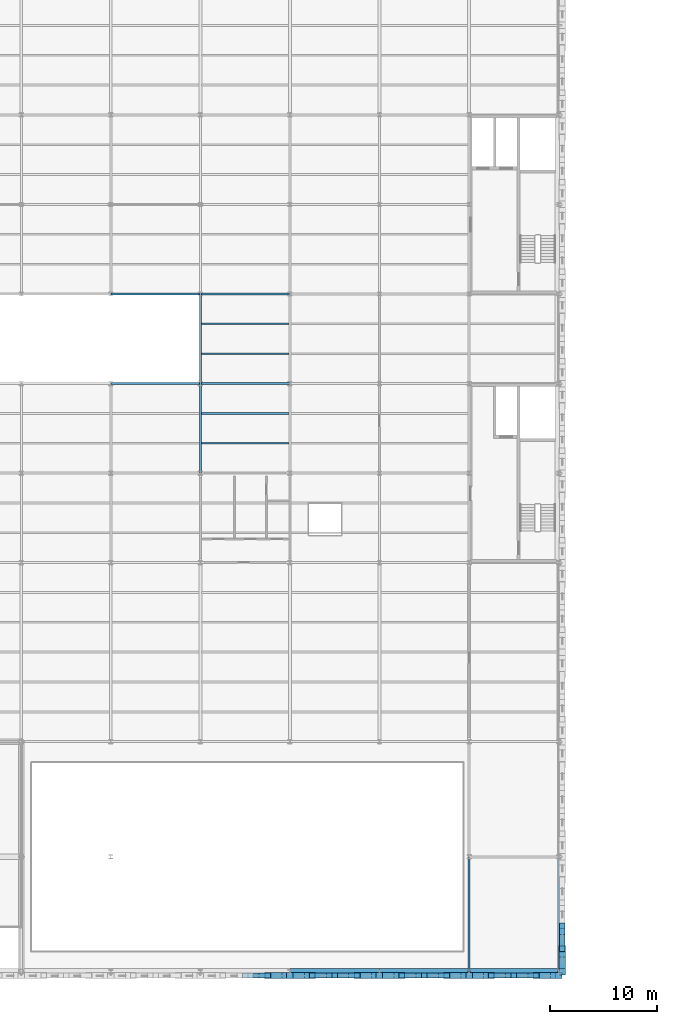
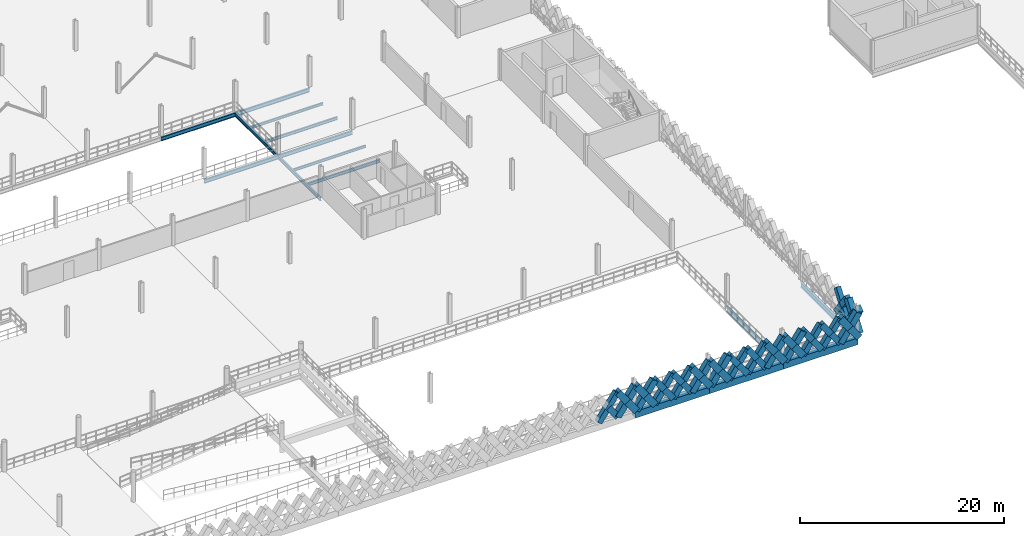
# One storey, part 22 of 74: 47 members, 15 beams.
"""IFC4 building model written with IfcOpenShell, lengths in metres."""

from ifc_helpers import new_model, si_unit, direction, frame, origin, origin_2d, place, context, subcontext, project, spatial, rectangle, i_section, extrude, material, material_profile, profile_set, type_object, element, save


model = new_model("IFC4")

# Units and contexts
model_context = context("Model", 3, precision=1e-05, world=origin(), true_north=direction((0.0, 1.0)))
body_context = subcontext(model_context, "Body", "Model", "MODEL_VIEW")
ifc_project = project(units=[si_unit("LENGTHUNIT", "METRE"), si_unit("AREAUNIT", "SQUARE_METRE"), si_unit("VOLUMEUNIT", "CUBIC_METRE"), si_unit("PLANEANGLEUNIT", "RADIAN"), si_unit("MASSUNIT", "GRAM", prefix="KILO"), si_unit("THERMODYNAMICTEMPERATUREUNIT", "KELVIN"), si_unit("POWERUNIT", "WATT")], contexts=[model_context])

# Site, building, storey
site_placement = place(None, origin())
site = spatial("IfcSite", under=ifc_project, at=site_placement, CompositionType="ELEMENT")
building_placement = place(site_placement, origin())
building = spatial("IfcBuilding", under=site, at=building_placement, Name="Tembeka Court Mobility Hub", CompositionType="ELEMENT")
storey_placement = place(building_placement, frame((0.0, 0.0, 12.60009765625)))
storey = spatial("IfcBuildingStorey", under=building, at=storey_placement, Name="L03", CompositionType="ELEMENT", Elevation=12.60009765625)

# Beams
ifc_material_1 = material(Name="Steel S355", Category="steel")
ifc_material_profile_1 = material_profile(ifc_material_1, i_section(OverallWidth=0.18994140625, OverallDepth=0.45703125, WebThickness=0.009033203125, FlangeThickness=0.014404296875, FilletRadius=0.01025390625, at=origin_2d()), Name="UKB 457x191x74")
ifc_profile_set_1 = profile_set([ifc_material_profile_1], Name="Steel S355")
beam_type_1 = type_object("IfcBeamType", Name="BM-B01", PredefinedType="BEAM", material=ifc_profile_set_1)
beam_1_placement = place(storey_placement, frame((50.39990234375, 55.199951171875, -0.448486328125), z_axis=(1.0, 0.0, 0.0), x_axis=(0.0, 1.0, 0.0)))
element("IfcBeam", 1, at=beam_1_placement, inside=storey, type_object=beam_type_1, Name="Beam B01 (BM-L03-X1754)", PredefinedType="BEAM", context=body_context, shape_type="SweptSolid", body=[
    extrude(i_section(OverallWidth=0.18994140625, OverallDepth=0.45703125, WebThickness=0.009033203125, FlangeThickness=0.014404296875, FilletRadius=0.01025390625, at=origin_2d()), origin(), (0.0, 0.0, 1.0), 8.400146484375),
])
beam_2_placement = place(storey_placement, frame((58.800048828125, 55.199951171875, -0.448486328125), z_axis=(1.0, 0.0, 0.0), x_axis=(0.0, 1.0, 0.0)))
element("IfcBeam", 2, at=beam_2_placement, inside=storey, type_object=beam_type_1, Name="Beam B01 (BM-L03-X1755)", PredefinedType="BEAM", context=body_context, shape_type="SweptSolid", body=[
    extrude(i_section(OverallWidth=0.18994140625, OverallDepth=0.45703125, WebThickness=0.009033203125, FlangeThickness=0.014404296875, FilletRadius=0.01025390625, at=origin_2d()), origin(), (0.0, 0.0, 1.0), 8.39990234375),
])
beam_3_placement = place(storey_placement, frame((50.39990234375, 63.60009765625, -0.448486328125), z_axis=(1.0, 0.0, 0.0), x_axis=(0.0, 1.0, 0.0)))
element("IfcBeam", 3, at=beam_3_placement, inside=storey, type_object=beam_type_1, Name="Beam B01 (BM-L03-X1766)", PredefinedType="BEAM", context=body_context, shape_type="SweptSolid", body=[
    extrude(i_section(OverallWidth=0.18994140625, OverallDepth=0.45703125, WebThickness=0.009033203125, FlangeThickness=0.014404296875, FilletRadius=0.01025390625, at=origin_2d()), origin(), (0.0, 0.0, 1.0), 8.400146484375),
])
beam_4_placement = place(storey_placement, frame((58.800048828125, 63.60009765625, -0.448486328125), z_axis=(1.0, 0.0, 0.0), x_axis=(0.0, 1.0, 0.0)))
element("IfcBeam", 4, at=beam_4_placement, inside=storey, type_object=beam_type_1, Name="Beam B01 (BM-L03-X1767)", PredefinedType="BEAM", context=body_context, shape_type="SweptSolid", body=[
    extrude(i_section(OverallWidth=0.18994140625, OverallDepth=0.45703125, WebThickness=0.009033203125, FlangeThickness=0.014404296875, FilletRadius=0.01025390625, at=origin_2d()), origin(), (0.0, 0.0, 1.0), 8.39990234375),
])
ifc_material_profile_2 = material_profile(ifc_material_1, i_section(OverallWidth=0.177978515625, OverallDepth=0.406005859375, WebThickness=0.0078125, FlangeThickness=0.0126953125, FilletRadius=0.01025390625, at=origin_2d()), Name="UKB 406x178x60")
ifc_profile_set_2 = profile_set([ifc_material_profile_2], Name="Steel S355")
beam_type_2 = type_object("IfcBeamType", Name="BM-B02", PredefinedType="BEAM", material=ifc_profile_set_2)
beam_5_placement = place(storey_placement, frame((58.800048828125, 46.800048828125, -0.423095703125), z_axis=(0.0, 1.0, 0.0), x_axis=(-1.0, 0.0, 0.0)))
element("IfcBeam", 5, at=beam_5_placement, inside=storey, type_object=beam_type_2, Name="Beam B02 (BM-L03-Y1880)", PredefinedType="BEAM", context=body_context, shape_type="SweptSolid", body=[
    extrude(i_section(OverallWidth=0.177978515625, OverallDepth=0.406005859375, WebThickness=0.0078125, FlangeThickness=0.0126953125, FilletRadius=0.01025390625, at=origin_2d()), origin(), (0.0, 0.0, 1.0), 8.39990234375),
])
beam_6_placement = place(storey_placement, frame((58.800048828125, 55.199951171875, -0.423095703125), z_axis=(0.0, 1.0, 0.0), x_axis=(-1.0, 0.0, 0.0)))
element("IfcBeam", 6, at=beam_6_placement, inside=storey, type_object=beam_type_2, Name="Beam B02 (BM-L03-Y1881)", PredefinedType="BEAM", context=body_context, shape_type="SweptSolid", body=[
    extrude(i_section(OverallWidth=0.177978515625, OverallDepth=0.406005859375, WebThickness=0.0078125, FlangeThickness=0.0126953125, FilletRadius=0.01025390625, at=origin_2d()), origin(), (0.0, 0.0, 1.0), 8.400146484375),
])
ifc_material_profile_3 = material_profile(ifc_material_1, i_section(OverallWidth=0.22900390625, OverallDepth=0.612060546875, WebThickness=0.011962890625, FlangeThickness=0.01953125, FilletRadius=0.0126953125, at=origin_2d()), Name="UKB 610x229x125")
ifc_profile_set_3 = profile_set([ifc_material_profile_3], Name="Steel S355")
beam_type_3 = type_object("IfcBeamType", Name="BM-G02", PredefinedType="USERDEFINED", material=ifc_profile_set_3)
for number, where, z_axis, x_axis, name in (
    (7, (84.0, 0.0, -0.526123046875), (0.0, 1.0, 0.0), (-1.0, 0.0, 0.0), "Beam G02 (BM-L03-Y1899)"),
    (8, (92.39990234375, 0.0, -0.526123046875), (0.0, 1.0, 0.0), (-1.0, 0.0, 0.0), "Beam G02 (BM-L03-Y1910)"),
):
    element("IfcBeam", number, at=place(storey_placement, frame(where, z_axis=z_axis, x_axis=x_axis)), inside=storey, type_object=beam_type_3, Name=name, ObjectType="GIRDER", PredefinedType="USERDEFINED", context=body_context, shape_type="SweptSolid", body=[
        extrude(i_section(OverallWidth=0.22900390625, OverallDepth=0.612060546875, WebThickness=0.011962890625, FlangeThickness=0.01953125, FilletRadius=0.0126953125, at=origin_2d()), origin(), (0.0, 0.0, 1.0), 10.800048828125),
    ])
ifc_material_profile_4 = material_profile(ifc_material_1, i_section(OverallWidth=0.1650390625, OverallDepth=0.303955078125, WebThickness=0.006103515625, FlangeThickness=0.01025390625, FilletRadius=0.0087890625, at=origin_2d()), Name="UKB 305x165x40")
ifc_profile_set_4 = profile_set([ifc_material_profile_4], Name="Steel S355")
beam_type_4 = type_object("IfcBeamType", Name="BM-J02", PredefinedType="JOIST", material=ifc_profile_set_4)
for number, where, z_axis, x_axis, name in (
    (9, (58.884033203125, 52.39990234375, -0.3720703125), (1.0, 0.0, 0.0), (0.0, 1.0, 0.0), "Beam J02 (JST-L03-2078)"),
    (10, (58.884033203125, 60.800048828125, -0.3720703125), (1.0, 0.0, 0.0), (0.0, 1.0, 0.0), "Beam J02 (JST-L03-2080)"),
):
    element("IfcBeam", number, at=place(storey_placement, frame(where, z_axis=z_axis, x_axis=x_axis)), inside=storey, type_object=beam_type_4, Name=name, PredefinedType="JOIST", context=body_context, shape_type="SweptSolid", body=[
        extrude(i_section(OverallWidth=0.1650390625, OverallDepth=0.303955078125, WebThickness=0.006103515625, FlangeThickness=0.01025390625, FilletRadius=0.0087890625, at=origin_2d()), origin(), (0.0, 0.0, 1.0), 8.23193359375),
    ])
ifc_material_profile_5 = material_profile(ifc_material_1, i_section(OverallWidth=0.169921875, OverallDepth=0.360107421875, WebThickness=0.008056640625, FlangeThickness=0.0126953125, FilletRadius=0.01806640625, at=origin_2d()), Name="IPE 360")
ifc_profile_set_5 = profile_set([ifc_material_profile_5], Name="Steel S355")
beam_type_5 = type_object("IfcBeamType", Name="BM-J03", PredefinedType="JOIST", material=ifc_profile_set_5)
for number, where, z_axis, x_axis, name in (
    (11, (58.884033203125, 49.60009765625, -0.400146484375), (1.0, 0.0, 0.0), (0.0, 1.0, 0.0), "Beam J03 (JST-L03-2077)"),
    (12, (58.884033203125, 58.0, -0.400146484375), (1.0, 0.0, 0.0), (0.0, 1.0, 0.0), "Beam J03 (JST-L03-2079)"),
):
    element("IfcBeam", number, at=place(storey_placement, frame(where, z_axis=z_axis, x_axis=x_axis)), inside=storey, type_object=beam_type_5, Name=name, PredefinedType="JOIST", context=body_context, shape_type="SweptSolid", body=[
        extrude(i_section(OverallWidth=0.169921875, OverallDepth=0.360107421875, WebThickness=0.008056640625, FlangeThickness=0.0126953125, FilletRadius=0.01806640625, at=origin_2d()), origin(), (0.0, 0.0, 1.0), 8.23193359375),
    ])
ifc_material_2 = material(Name="Precast concrete C45/55", Category="concrete")
ifc_material_profile_6 = material_profile(ifc_material_2, rectangle(XDim=0.64990234375, YDim=0.800048828125, at=origin_2d()), Name="PC-SP 650x800")
ifc_profile_set_6 = profile_set([ifc_material_profile_6], Name="Precast concrete C45/55")
beam_type_6 = type_object("IfcBeamType", Name="BM-SP01", PredefinedType="SPANDREL", material=ifc_profile_set_6)
beam_7_placement = place(storey_placement, frame((67.199951171875, 0.0, -0.6201171875), z_axis=(1.0, 0.0, 0.0), x_axis=(0.0, 1.0, 0.0)))
element("IfcBeam", 13, at=beam_7_placement, inside=storey, type_object=beam_type_6, Name="Beam SP01 (BM-L03-X1689)", PredefinedType="SPANDREL", context=body_context, shape_type="SweptSolid", body=[
    extrude(rectangle(XDim=0.64990234375, YDim=0.800048828125, at=origin_2d()), origin(), (0.0, 0.0, 1.0), 8.400146484375),
])
for number, where, z_axis, x_axis, name in (
    (14, (75.60009765625, 0.0, -0.6201171875), (1.0, 0.0, 0.0), (0.0, 1.0, 0.0), "Beam SP01 (BM-L03-X1690)"),
    (15, (84.0, 0.0, -0.6201171875), (1.0, 0.0, 0.0), (0.0, 1.0, 0.0), "Beam SP01 (BM-L03-X1691)"),
):
    element("IfcBeam", number, at=place(storey_placement, frame(where, z_axis=z_axis, x_axis=x_axis)), inside=storey, type_object=beam_type_6, Name=name, PredefinedType="SPANDREL", context=body_context, shape_type="SweptSolid", body=[
        extrude(rectangle(XDim=0.64990234375, YDim=0.800048828125, at=origin_2d()), origin(), (0.0, 0.0, 1.0), 8.39990234375),
    ])

# Members
ifc_material_profile_7 = material_profile(ifc_material_2, rectangle(XDim=0.5, YDim=0.64990234375, at=origin_2d()), Name="PC-DIAG 500x650")
ifc_profile_set_7 = profile_set([ifc_material_profile_7], Name="Precast concrete C45/55")
member_type_1 = type_object("IfcMemberType", Name="MEM-DL01", PredefinedType="BRACE", material=ifc_profile_set_7)
member_1_placement = place(storey_placement, frame((63.0, -0.340087890625, 0.02001953125), z_axis=(0.582576362011, 0.0, 0.812775973086), x_axis=(0.0, 1.0, 0.0)))
element("IfcMember", 16, at=member_1_placement, inside=storey, type_object=member_type_1, Name="Precast diamond lattice continuous strand DL01 (L03-419A)", PredefinedType="BRACE", context=body_context, shape_type="SweptSolid", body=[
    extrude(rectangle(XDim=0.5, YDim=0.64990234375, at=origin_2d()), origin(), (0.0, 0.0, 1.0), 3.604736328125),
])
member_2_placement = place(storey_placement, frame((65.10009765625, -0.340087890625, 0.02001953125), z_axis=(-0.582608431711, 0.0, 0.812752985414), x_axis=(0.0, -1.0, 0.0)))
element("IfcMember", 17, at=member_2_placement, inside=storey, type_object=member_type_1, Name="Precast diamond lattice split lower strand DL01 (L03-419B1)", PredefinedType="BRACE", context=body_context, shape_type="SweptSolid", body=[
    extrude(rectangle(XDim=0.5, YDim=0.64990234375, at=origin_2d()), origin(), (0.0, 0.0, 1.0), 1.80224609375),
])
member_3_placement = place(storey_placement, frame((69.300048828125, -0.340087890625, 0.02001953125), z_axis=(0.58253161945, 0.0, 0.812808041509), x_axis=(0.0, 1.0, 0.0)))
element("IfcMember", 18, at=member_3_placement, inside=storey, type_object=member_type_1, Name="Precast diamond lattice continuous strand DL01 (L03-422A)", PredefinedType="BRACE", context=body_context, shape_type="SweptSolid", body=[
    extrude(rectangle(XDim=0.5, YDim=0.64990234375, at=origin_2d()), origin(), (0.0, 0.0, 1.0), 3.604736328125),
])
member_4_placement = place(storey_placement, frame((71.39990234375, -0.340087890625, 0.02001953125), z_axis=(-0.582518941428, 0.0, 0.812817127574), x_axis=(0.0, -1.0, 0.0)))
element("IfcMember", 19, at=member_4_placement, inside=storey, type_object=member_type_1, Name="Precast diamond lattice split lower strand DL01 (L03-422B1)", PredefinedType="BRACE", context=body_context, shape_type="SweptSolid", body=[
    extrude(rectangle(XDim=0.5, YDim=0.64990234375, at=origin_2d()), origin(), (0.0, 0.0, 1.0), 1.80224609375),
])
member_5_placement = place(storey_placement, frame((70.35009765625, -0.340087890625, 1.48486328125), z_axis=(-0.582544294934, 0.0, 0.812798956963), x_axis=(0.0, -1.0, 0.0)))
element("IfcMember", 20, at=member_5_placement, inside=storey, type_object=member_type_1, Name="Precast diamond lattice split upper strand DL01 (L03-422B2)", PredefinedType="BRACE", context=body_context, shape_type="SweptSolid", body=[
    extrude(rectangle(XDim=0.5, YDim=0.64990234375, at=origin_2d()), origin(), (0.0, 0.0, 1.0), 1.802490234375),
])
member_6_placement = place(storey_placement, frame((71.39990234375, -0.340087890625, 0.02001953125), z_axis=(0.582576362011, 0.0, 0.812775973086), x_axis=(0.0, 1.0, 0.0)))
element("IfcMember", 21, at=member_6_placement, inside=storey, type_object=member_type_1, Name="Precast diamond lattice continuous strand DL01 (L03-423A)", PredefinedType="BRACE", context=body_context, shape_type="SweptSolid", body=[
    extrude(rectangle(XDim=0.5, YDim=0.64990234375, at=origin_2d()), origin(), (0.0, 0.0, 1.0), 3.604736328125),
])
member_7_placement = place(storey_placement, frame((73.5, -0.340087890625, 0.02001953125), z_axis=(-0.582608431711, 0.0, 0.812752985414), x_axis=(0.0, -1.0, 0.0)))
element("IfcMember", 22, at=member_7_placement, inside=storey, type_object=member_type_1, Name="Precast diamond lattice split lower strand DL01 (L03-423B1)", PredefinedType="BRACE", context=body_context, shape_type="SweptSolid", body=[
    extrude(rectangle(XDim=0.5, YDim=0.64990234375, at=origin_2d()), origin(), (0.0, 0.0, 1.0), 1.80224609375),
])
member_8_placement = place(storey_placement, frame((72.449951171875, -0.340087890625, 1.48486328125), z_axis=(-0.582544294934, 0.0, 0.812798956963), x_axis=(0.0, -1.0, 0.0)))
element("IfcMember", 23, at=member_8_placement, inside=storey, type_object=member_type_1, Name="Precast diamond lattice split upper strand DL01 (L03-423B2)", PredefinedType="BRACE", context=body_context, shape_type="SweptSolid", body=[
    extrude(rectangle(XDim=0.5, YDim=0.64990234375, at=origin_2d()), origin(), (0.0, 0.0, 1.0), 1.802490234375),
])
member_9_placement = place(storey_placement, frame((77.699951171875, -0.340087890625, 0.02001953125), z_axis=(0.582576362011, 0.0, 0.812775973086), x_axis=(0.0, 1.0, 0.0)))
element("IfcMember", 24, at=member_9_placement, inside=storey, type_object=member_type_1, Name="Precast diamond lattice continuous strand DL01 (L03-426A)", PredefinedType="BRACE", context=body_context, shape_type="SweptSolid", body=[
    extrude(rectangle(XDim=0.5, YDim=0.64990234375, at=origin_2d()), origin(), (0.0, 0.0, 1.0), 3.604736328125),
])
member_10_placement = place(storey_placement, frame((79.800048828125, -0.340087890625, 0.02001953125), z_axis=(-0.582608431711, 0.0, 0.812752985414), x_axis=(0.0, -1.0, 0.0)))
element("IfcMember", 25, at=member_10_placement, inside=storey, type_object=member_type_1, Name="Precast diamond lattice split lower strand DL01 (L03-426B1)", PredefinedType="BRACE", context=body_context, shape_type="SweptSolid", body=[
    extrude(rectangle(XDim=0.5, YDim=0.64990234375, at=origin_2d()), origin(), (0.0, 0.0, 1.0), 1.80224609375),
])
member_11_placement = place(storey_placement, frame((78.75, -0.340087890625, 1.48486328125), z_axis=(-0.582544294934, 0.0, 0.812798956963), x_axis=(0.0, -1.0, 0.0)))
element("IfcMember", 26, at=member_11_placement, inside=storey, type_object=member_type_1, Name="Precast diamond lattice split upper strand DL01 (L03-426B2)", PredefinedType="BRACE", context=body_context, shape_type="SweptSolid", body=[
    extrude(rectangle(XDim=0.5, YDim=0.64990234375, at=origin_2d()), origin(), (0.0, 0.0, 1.0), 1.802490234375),
])
member_12_placement = place(storey_placement, frame((79.800048828125, -0.340087890625, 0.02001953125), z_axis=(0.58253161945, 0.0, 0.812808041509), x_axis=(0.0, 1.0, 0.0)))
element("IfcMember", 27, at=member_12_placement, inside=storey, type_object=member_type_1, Name="Precast diamond lattice continuous strand DL01 (L03-427A)", PredefinedType="BRACE", context=body_context, shape_type="SweptSolid", body=[
    extrude(rectangle(XDim=0.5, YDim=0.64990234375, at=origin_2d()), origin(), (0.0, 0.0, 1.0), 3.604736328125),
])
member_13_placement = place(storey_placement, frame((81.89990234375, -0.340087890625, 0.02001953125), z_axis=(-0.582518941428, 0.0, 0.812817127574), x_axis=(0.0, -1.0, 0.0)))
element("IfcMember", 28, at=member_13_placement, inside=storey, type_object=member_type_1, Name="Precast diamond lattice split lower strand DL01 (L03-427B1)", PredefinedType="BRACE", context=body_context, shape_type="SweptSolid", body=[
    extrude(rectangle(XDim=0.5, YDim=0.64990234375, at=origin_2d()), origin(), (0.0, 0.0, 1.0), 1.80224609375),
])
member_14_placement = place(storey_placement, frame((80.85009765625, -0.340087890625, 1.48486328125), z_axis=(-0.582544294934, 0.0, 0.812798956963), x_axis=(0.0, -1.0, 0.0)))
element("IfcMember", 29, at=member_14_placement, inside=storey, type_object=member_type_1, Name="Precast diamond lattice split upper strand DL01 (L03-427B2)", PredefinedType="BRACE", context=body_context, shape_type="SweptSolid", body=[
    extrude(rectangle(XDim=0.5, YDim=0.64990234375, at=origin_2d()), origin(), (0.0, 0.0, 1.0), 1.802490234375),
])
member_15_placement = place(storey_placement, frame((86.10009765625, -0.340087890625, 0.02001953125), z_axis=(0.58253161945, 0.0, 0.812808041509), x_axis=(0.0, 1.0, 0.0)))
element("IfcMember", 30, at=member_15_placement, inside=storey, type_object=member_type_1, Name="Precast diamond lattice continuous strand DL01 (L03-430A)", PredefinedType="BRACE", context=body_context, shape_type="SweptSolid", body=[
    extrude(rectangle(XDim=0.5, YDim=0.64990234375, at=origin_2d()), origin(), (0.0, 0.0, 1.0), 3.604736328125),
])
member_16_placement = place(storey_placement, frame((88.199951171875, -0.340087890625, 0.02001953125), z_axis=(-0.582608431711, 0.0, 0.812752985414), x_axis=(0.0, -1.0, 0.0)))
element("IfcMember", 31, at=member_16_placement, inside=storey, type_object=member_type_1, Name="Precast diamond lattice split lower strand DL01 (L03-430B1)", PredefinedType="BRACE", context=body_context, shape_type="SweptSolid", body=[
    extrude(rectangle(XDim=0.5, YDim=0.64990234375, at=origin_2d()), origin(), (0.0, 0.0, 1.0), 1.80224609375),
])
member_17_placement = place(storey_placement, frame((87.14990234375, -0.340087890625, 1.48486328125), z_axis=(-0.582454804382, 0.0, 0.812863088627), x_axis=(0.0, -1.0, 0.0)))
element("IfcMember", 32, at=member_17_placement, inside=storey, type_object=member_type_1, Name="Precast diamond lattice split upper strand DL01 (L03-430B2)", PredefinedType="BRACE", context=body_context, shape_type="SweptSolid", body=[
    extrude(rectangle(XDim=0.5, YDim=0.64990234375, at=origin_2d()), origin(), (0.0, 0.0, 1.0), 1.802490234375),
])
member_18_placement = place(storey_placement, frame((88.199951171875, -0.340087890625, 0.02001953125), z_axis=(0.582576362011, 0.0, 0.812775973086), x_axis=(0.0, 1.0, 0.0)))
element("IfcMember", 33, at=member_18_placement, inside=storey, type_object=member_type_1, Name="Precast diamond lattice continuous strand DL01 (L03-431A)", PredefinedType="BRACE", context=body_context, shape_type="SweptSolid", body=[
    extrude(rectangle(XDim=0.5, YDim=0.64990234375, at=origin_2d()), origin(), (0.0, 0.0, 1.0), 3.604736328125),
])
member_19_placement = place(storey_placement, frame((90.300048828125, -0.340087890625, 0.02001953125), z_axis=(-0.582608431711, 0.0, 0.812752985414), x_axis=(0.0, -1.0, 0.0)))
element("IfcMember", 34, at=member_19_placement, inside=storey, type_object=member_type_1, Name="Precast diamond lattice split lower strand DL01 (L03-431B1)", PredefinedType="BRACE", context=body_context, shape_type="SweptSolid", body=[
    extrude(rectangle(XDim=0.5, YDim=0.64990234375, at=origin_2d()), origin(), (0.0, 0.0, 1.0), 1.80224609375),
])
member_20_placement = place(storey_placement, frame((89.25, -0.340087890625, 1.48486328125), z_axis=(-0.582544294934, 0.0, 0.812798956963), x_axis=(0.0, -1.0, 0.0)))
element("IfcMember", 35, at=member_20_placement, inside=storey, type_object=member_type_1, Name="Precast diamond lattice split upper strand DL01 (L03-431B2)", PredefinedType="BRACE", context=body_context, shape_type="SweptSolid", body=[
    extrude(rectangle(XDim=0.5, YDim=0.64990234375, at=origin_2d()), origin(), (0.0, 0.0, 1.0), 1.802490234375),
])
member_21_placement = place(storey_placement, frame((92.739990234375, 2.159912109375, 0.02001953125), z_axis=(0.0, 0.593423219328, 0.804890602978), x_axis=(-1.0, 0.0, 0.0)))
element("IfcMember", 36, at=member_21_placement, inside=storey, type_object=member_type_1, Name="Precast diamond lattice continuous strand DL01 (L03-534C)", PredefinedType="BRACE", context=body_context, shape_type="SweptSolid", body=[
    extrude(rectangle(XDim=0.5, YDim=0.64990234375, at=origin_2d()), origin(), (0.0, 0.0, 1.0), 3.64013671875),
])
for number, where, z_axis, x_axis, name in (
    (37, (92.739990234375, 4.320068359375, 0.02001953125), (0.0, -0.593455255298, 0.804866982773), (1.0, 0.0, 0.0), "Precast diamond lattice split lower strand DL01 (L03-534D1)"),
    (38, (92.739990234375, 3.239990234375, 1.48486328125), (0.0, -0.593391185876, 0.804914219358), (1.0, 0.0, 0.0), "Precast diamond lattice split upper strand DL01 (L03-534D2)"),
):
    element("IfcMember", number, at=place(storey_placement, frame(where, z_axis=z_axis, x_axis=x_axis)), inside=storey, type_object=member_type_1, Name=name, PredefinedType="BRACE", context=body_context, shape_type="SweptSolid", body=[
        extrude(rectangle(XDim=0.5, YDim=0.64990234375, at=origin_2d()), origin(), (0.0, 0.0, 1.0), 1.820068359375),
    ])
ifc_material_profile_8 = material_profile(ifc_material_2, rectangle(XDim=0.60009765625, YDim=0.75, at=origin_2d()), Name="PC-DIAG 600x750")
ifc_profile_set_8 = profile_set([ifc_material_profile_8], Name="Precast concrete C45/55")
member_type_2 = type_object("IfcMemberType", Name="MEM-DL02", PredefinedType="BRACE", material=ifc_profile_set_8)
member_22_placement = place(storey_placement, frame((65.10009765625, -0.340087890625, 0.02001953125), z_axis=(0.58253161945, 0.0, 0.812808041509), x_axis=(0.0, 1.0, 0.0)))
element("IfcMember", 39, at=member_22_placement, inside=storey, type_object=member_type_2, Name="Precast diamond lattice continuous strand DL02 (L03-420A)", PredefinedType="BRACE", context=body_context, shape_type="SweptSolid", body=[
    extrude(rectangle(XDim=0.60009765625, YDim=0.75, at=origin_2d()), origin(), (0.0, 0.0, 1.0), 3.604736328125),
])
member_23_placement = place(storey_placement, frame((67.199951171875, -0.340087890625, 0.02001953125), z_axis=(-0.582608431711, 0.0, 0.812752985414), x_axis=(0.0, -1.0, 0.0)))
element("IfcMember", 40, at=member_23_placement, inside=storey, type_object=member_type_2, Name="Precast diamond lattice split lower strand DL02 (L03-420B1)", PredefinedType="BRACE", context=body_context, shape_type="SweptSolid", body=[
    extrude(rectangle(XDim=0.60009765625, YDim=0.75, at=origin_2d()), origin(), (0.0, 0.0, 1.0), 1.80224609375),
])
member_24_placement = place(storey_placement, frame((66.14990234375, -0.340087890625, 1.48486328125), z_axis=(-0.582454804382, 0.0, 0.812863088627), x_axis=(0.0, -1.0, 0.0)))
element("IfcMember", 41, at=member_24_placement, inside=storey, type_object=member_type_2, Name="Precast diamond lattice split upper strand DL02 (L03-420B2)", PredefinedType="BRACE", context=body_context, shape_type="SweptSolid", body=[
    extrude(rectangle(XDim=0.60009765625, YDim=0.75, at=origin_2d()), origin(), (0.0, 0.0, 1.0), 1.802490234375),
])
member_25_placement = place(storey_placement, frame((67.199951171875, -0.340087890625, 0.02001953125), z_axis=(0.582576362011, 0.0, 0.812775973086), x_axis=(0.0, 1.0, 0.0)))
element("IfcMember", 42, at=member_25_placement, inside=storey, type_object=member_type_2, Name="Precast diamond lattice continuous strand DL02 (L03-421A)", PredefinedType="BRACE", context=body_context, shape_type="SweptSolid", body=[
    extrude(rectangle(XDim=0.60009765625, YDim=0.75, at=origin_2d()), origin(), (0.0, 0.0, 1.0), 3.604736328125),
])
member_26_placement = place(storey_placement, frame((69.300048828125, -0.340087890625, 0.02001953125), z_axis=(-0.582608431711, 0.0, 0.812752985414), x_axis=(0.0, -1.0, 0.0)))
element("IfcMember", 43, at=member_26_placement, inside=storey, type_object=member_type_2, Name="Precast diamond lattice split lower strand DL02 (L03-421B1)", PredefinedType="BRACE", context=body_context, shape_type="SweptSolid", body=[
    extrude(rectangle(XDim=0.60009765625, YDim=0.75, at=origin_2d()), origin(), (0.0, 0.0, 1.0), 1.80224609375),
])
member_27_placement = place(storey_placement, frame((68.25, -0.340087890625, 1.48486328125), z_axis=(-0.582544294934, 0.0, 0.812798956963), x_axis=(0.0, -1.0, 0.0)))
element("IfcMember", 44, at=member_27_placement, inside=storey, type_object=member_type_2, Name="Precast diamond lattice split upper strand DL02 (L03-421B2)", PredefinedType="BRACE", context=body_context, shape_type="SweptSolid", body=[
    extrude(rectangle(XDim=0.60009765625, YDim=0.75, at=origin_2d()), origin(), (0.0, 0.0, 1.0), 1.802490234375),
])
member_28_placement = place(storey_placement, frame((73.5, -0.340087890625, 0.02001953125), z_axis=(0.582576362011, 0.0, 0.812775973086), x_axis=(0.0, 1.0, 0.0)))
element("IfcMember", 45, at=member_28_placement, inside=storey, type_object=member_type_2, Name="Precast diamond lattice continuous strand DL02 (L03-424A)", PredefinedType="BRACE", context=body_context, shape_type="SweptSolid", body=[
    extrude(rectangle(XDim=0.60009765625, YDim=0.75, at=origin_2d()), origin(), (0.0, 0.0, 1.0), 3.604736328125),
])
member_29_placement = place(storey_placement, frame((75.60009765625, -0.340087890625, 0.02001953125), z_axis=(-0.582608431711, 0.0, 0.812752985414), x_axis=(0.0, -1.0, 0.0)))
element("IfcMember", 46, at=member_29_placement, inside=storey, type_object=member_type_2, Name="Precast diamond lattice split lower strand DL02 (L03-424B1)", PredefinedType="BRACE", context=body_context, shape_type="SweptSolid", body=[
    extrude(rectangle(XDim=0.60009765625, YDim=0.75, at=origin_2d()), origin(), (0.0, 0.0, 1.0), 1.80224609375),
])
member_30_placement = place(storey_placement, frame((74.550048828125, -0.340087890625, 1.48486328125), z_axis=(-0.582544294934, 0.0, 0.812798956963), x_axis=(0.0, -1.0, 0.0)))
element("IfcMember", 47, at=member_30_placement, inside=storey, type_object=member_type_2, Name="Precast diamond lattice split upper strand DL02 (L03-424B2)", PredefinedType="BRACE", context=body_context, shape_type="SweptSolid", body=[
    extrude(rectangle(XDim=0.60009765625, YDim=0.75, at=origin_2d()), origin(), (0.0, 0.0, 1.0), 1.802490234375),
])
member_31_placement = place(storey_placement, frame((75.60009765625, -0.340087890625, 0.02001953125), z_axis=(0.58253161945, 0.0, 0.812808041509), x_axis=(0.0, 1.0, 0.0)))
element("IfcMember", 48, at=member_31_placement, inside=storey, type_object=member_type_2, Name="Precast diamond lattice continuous strand DL02 (L03-425A)", PredefinedType="BRACE", context=body_context, shape_type="SweptSolid", body=[
    extrude(rectangle(XDim=0.60009765625, YDim=0.75, at=origin_2d()), origin(), (0.0, 0.0, 1.0), 3.604736328125),
])
member_32_placement = place(storey_placement, frame((77.699951171875, -0.340087890625, 0.02001953125), z_axis=(-0.582608431711, 0.0, 0.812752985414), x_axis=(0.0, -1.0, 0.0)))
element("IfcMember", 49, at=member_32_placement, inside=storey, type_object=member_type_2, Name="Precast diamond lattice split lower strand DL02 (L03-425B1)", PredefinedType="BRACE", context=body_context, shape_type="SweptSolid", body=[
    extrude(rectangle(XDim=0.60009765625, YDim=0.75, at=origin_2d()), origin(), (0.0, 0.0, 1.0), 1.80224609375),
])
member_33_placement = place(storey_placement, frame((76.64990234375, -0.340087890625, 1.48486328125), z_axis=(-0.582454804382, 0.0, 0.812863088627), x_axis=(0.0, -1.0, 0.0)))
element("IfcMember", 50, at=member_33_placement, inside=storey, type_object=member_type_2, Name="Precast diamond lattice split upper strand DL02 (L03-425B2)", PredefinedType="BRACE", context=body_context, shape_type="SweptSolid", body=[
    extrude(rectangle(XDim=0.60009765625, YDim=0.75, at=origin_2d()), origin(), (0.0, 0.0, 1.0), 1.802490234375),
])
member_34_placement = place(storey_placement, frame((81.89990234375, -0.340087890625, 0.02001953125), z_axis=(0.582576362011, 0.0, 0.812775973086), x_axis=(0.0, 1.0, 0.0)))
element("IfcMember", 51, at=member_34_placement, inside=storey, type_object=member_type_2, Name="Precast diamond lattice continuous strand DL02 (L03-428A)", PredefinedType="BRACE", context=body_context, shape_type="SweptSolid", body=[
    extrude(rectangle(XDim=0.60009765625, YDim=0.75, at=origin_2d()), origin(), (0.0, 0.0, 1.0), 3.604736328125),
])
member_35_placement = place(storey_placement, frame((84.0, -0.340087890625, 0.02001953125), z_axis=(-0.582608431711, 0.0, 0.812752985414), x_axis=(0.0, -1.0, 0.0)))
element("IfcMember", 52, at=member_35_placement, inside=storey, type_object=member_type_2, Name="Precast diamond lattice split lower strand DL02 (L03-428B1)", PredefinedType="BRACE", context=body_context, shape_type="SweptSolid", body=[
    extrude(rectangle(XDim=0.60009765625, YDim=0.75, at=origin_2d()), origin(), (0.0, 0.0, 1.0), 1.80224609375),
])
member_36_placement = place(storey_placement, frame((82.949951171875, -0.340087890625, 1.48486328125), z_axis=(-0.582544294934, 0.0, 0.812798956963), x_axis=(0.0, -1.0, 0.0)))
element("IfcMember", 53, at=member_36_placement, inside=storey, type_object=member_type_2, Name="Precast diamond lattice split upper strand DL02 (L03-428B2)", PredefinedType="BRACE", context=body_context, shape_type="SweptSolid", body=[
    extrude(rectangle(XDim=0.60009765625, YDim=0.75, at=origin_2d()), origin(), (0.0, 0.0, 1.0), 1.802490234375),
])
member_37_placement = place(storey_placement, frame((84.0, -0.340087890625, 0.02001953125), z_axis=(0.582576362011, 0.0, 0.812775973086), x_axis=(0.0, 1.0, 0.0)))
element("IfcMember", 54, at=member_37_placement, inside=storey, type_object=member_type_2, Name="Precast diamond lattice continuous strand DL02 (L03-429A)", PredefinedType="BRACE", context=body_context, shape_type="SweptSolid", body=[
    extrude(rectangle(XDim=0.60009765625, YDim=0.75, at=origin_2d()), origin(), (0.0, 0.0, 1.0), 3.604736328125),
])
member_38_placement = place(storey_placement, frame((86.10009765625, -0.340087890625, 0.02001953125), z_axis=(-0.582608431711, 0.0, 0.812752985414), x_axis=(0.0, -1.0, 0.0)))
element("IfcMember", 55, at=member_38_placement, inside=storey, type_object=member_type_2, Name="Precast diamond lattice split lower strand DL02 (L03-429B1)", PredefinedType="BRACE", context=body_context, shape_type="SweptSolid", body=[
    extrude(rectangle(XDim=0.60009765625, YDim=0.75, at=origin_2d()), origin(), (0.0, 0.0, 1.0), 1.80224609375),
])
member_39_placement = place(storey_placement, frame((85.050048828125, -0.340087890625, 1.48486328125), z_axis=(-0.582544294934, 0.0, 0.812798956963), x_axis=(0.0, -1.0, 0.0)))
element("IfcMember", 56, at=member_39_placement, inside=storey, type_object=member_type_2, Name="Precast diamond lattice split upper strand DL02 (L03-429B2)", PredefinedType="BRACE", context=body_context, shape_type="SweptSolid", body=[
    extrude(rectangle(XDim=0.60009765625, YDim=0.75, at=origin_2d()), origin(), (0.0, 0.0, 1.0), 1.802490234375),
])
member_40_placement = place(storey_placement, frame((90.300048828125, -0.340087890625, 0.02001953125), z_axis=(0.58253161945, 0.0, 0.812808041509), x_axis=(0.0, 1.0, 0.0)))
element("IfcMember", 57, at=member_40_placement, inside=storey, type_object=member_type_2, Name="Precast diamond lattice continuous strand DL02 (L03-432A)", PredefinedType="BRACE", context=body_context, shape_type="SweptSolid", body=[
    extrude(rectangle(XDim=0.60009765625, YDim=0.75, at=origin_2d()), origin(), (0.0, 0.0, 1.0), 3.604736328125),
])
member_41_placement = place(storey_placement, frame((92.39990234375, -0.340087890625, 0.02001953125), z_axis=(-0.582518941428, 0.0, 0.812817127574), x_axis=(0.0, -1.0, 0.0)))
element("IfcMember", 58, at=member_41_placement, inside=storey, type_object=member_type_2, Name="Precast diamond lattice split lower strand DL02 (L03-432B1)", PredefinedType="BRACE", context=body_context, shape_type="SweptSolid", body=[
    extrude(rectangle(XDim=0.60009765625, YDim=0.75, at=origin_2d()), origin(), (0.0, 0.0, 1.0), 1.80224609375),
])
member_42_placement = place(storey_placement, frame((91.35009765625, -0.340087890625, 1.48486328125), z_axis=(-0.582544294934, 0.0, 0.812798956963), x_axis=(0.0, -1.0, 0.0)))
element("IfcMember", 59, at=member_42_placement, inside=storey, type_object=member_type_2, Name="Precast diamond lattice split upper strand DL02 (L03-432B2)", PredefinedType="BRACE", context=body_context, shape_type="SweptSolid", body=[
    extrude(rectangle(XDim=0.60009765625, YDim=0.75, at=origin_2d()), origin(), (0.0, 0.0, 1.0), 1.802490234375),
])
member_43_placement = place(storey_placement, frame((92.739990234375, 0.0, 0.02001953125), z_axis=(0.0, 0.593379766398, 0.804922637792), x_axis=(-1.0, 0.0, 0.0)))
element("IfcMember", 60, at=member_43_placement, inside=storey, type_object=member_type_2, Name="Precast diamond lattice continuous strand DL02 (L03-533C)", PredefinedType="BRACE", context=body_context, shape_type="SweptSolid", body=[
    extrude(rectangle(XDim=0.60009765625, YDim=0.75, at=origin_2d()), origin(), (0.0, 0.0, 1.0), 3.64013671875),
])
member_44_placement = place(storey_placement, frame((92.739990234375, 2.159912109375, 0.02001953125), z_axis=(0.0, -0.593368344659, 0.804931057642), x_axis=(1.0, 0.0, 0.0)))
element("IfcMember", 61, at=member_44_placement, inside=storey, type_object=member_type_2, Name="Precast diamond lattice split lower strand DL02 (L03-533D1)", PredefinedType="BRACE", context=body_context, shape_type="SweptSolid", body=[
    extrude(rectangle(XDim=0.60009765625, YDim=0.75, at=origin_2d()), origin(), (0.0, 0.0, 1.0), 1.81982421875),
])
member_45_placement = place(storey_placement, frame((92.739990234375, 1.080078125, 1.48486328125), z_axis=(0.0, -0.593391185876, 0.804914219358), x_axis=(1.0, 0.0, 0.0)))
element("IfcMember", 62, at=member_45_placement, inside=storey, type_object=member_type_2, Name="Precast diamond lattice split upper strand DL02 (L03-533D2)", PredefinedType="BRACE", context=body_context, shape_type="SweptSolid", body=[
    extrude(rectangle(XDim=0.60009765625, YDim=0.75, at=origin_2d()), origin(), (0.0, 0.0, 1.0), 1.820068359375),
])

save(model, "model.ifc")
